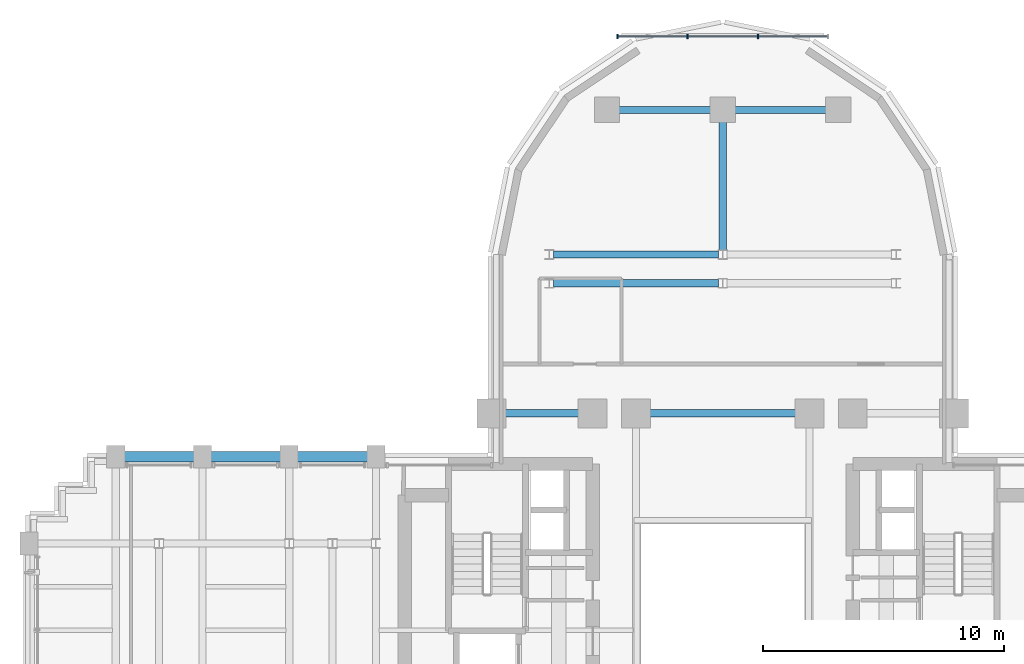
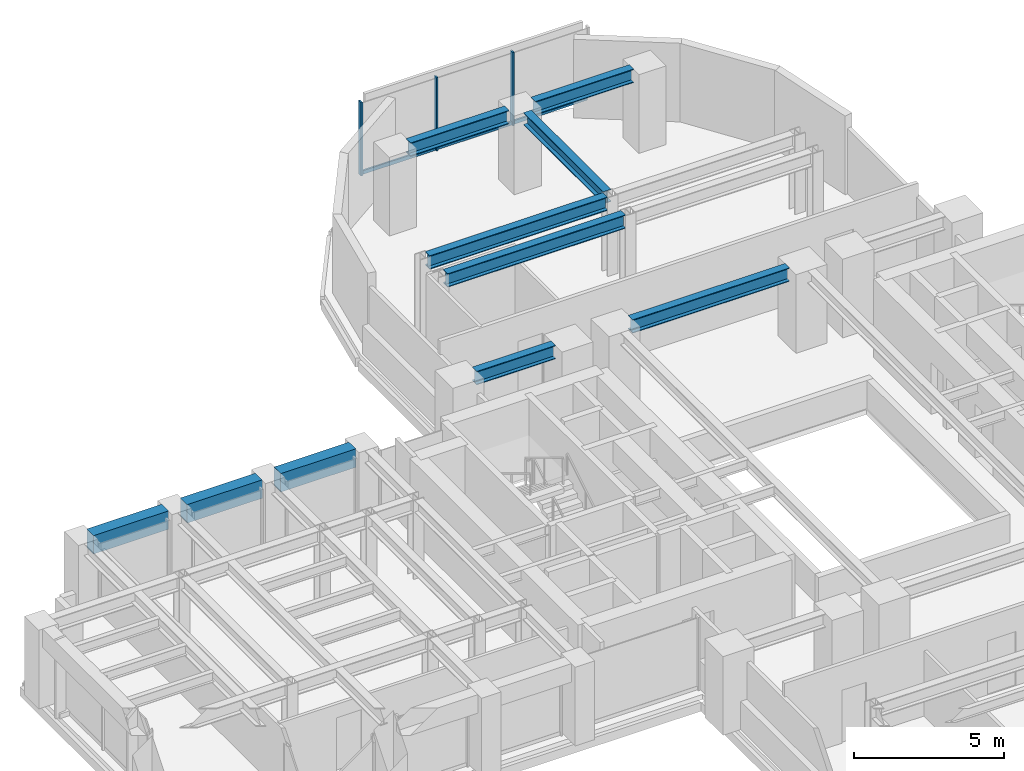
# One storey, part 7 of 16: 10 beams, 6 members, 1 element without a shape of its own.
"""IFC4 building model written with IfcOpenShell, lengths in metres."""

from ifc_helpers import new_model, si_unit, direction, frame, origin, origin_2d, place, context, subcontext, project, spatial, rectangle, i_section, extrude, source, transform, mapped, material, material_profile, profile_set, type_object, element, aggregate, save


model = new_model("IFC4")

# Units and contexts
model_context = context("Model", 3, precision=1e-05, world=origin(), true_north=direction((0.0, 1.0)))
body_context = subcontext(model_context, "Body", "Model", "MODEL_VIEW")
ifc_project = project(units=[si_unit("LENGTHUNIT", "METRE"), si_unit("AREAUNIT", "SQUARE_METRE"), si_unit("VOLUMEUNIT", "CUBIC_METRE"), si_unit("PLANEANGLEUNIT", "RADIAN"), si_unit("MASSUNIT", "GRAM", prefix="KILO")], contexts=[model_context])

# Site, building, storey
site_placement = place(None, origin())
site = spatial("IfcSite", under=ifc_project, at=site_placement, CompositionType="ELEMENT")
building_placement = place(site_placement, origin())
building = spatial("IfcBuilding", under=site, at=building_placement, Name="Keilestroom Media Tower", CompositionType="ELEMENT")
storey_placement = place(building_placement, frame((0.0, 0.0, 57.800048828125)))
storey = spatial("IfcBuildingStorey", under=building, at=storey_placement, Name="L14", CompositionType="ELEMENT", Elevation=57.800048828125)

# Beams
ifc_material_1 = material(Name="Steel S355", Category="steel")
ifc_material_profile_1 = material_profile(ifc_material_1, i_section(OverallWidth=0.300048828125, OverallDepth=0.550048828125, WebThickness=0.012939453125, FlangeThickness=0.029052734375, at=origin_2d()), Name="HEB 550")
ifc_profile_set_1 = profile_set([ifc_material_profile_1], Name="Steel S355")
beam_type_1 = type_object("IfcBeamType", Name="Primary-Structural-Girder-HEB-550", PredefinedType="BEAM", material=ifc_profile_set_1)
shared_shape_1 = source(origin(), body_context, "Body", "SweptSolid", [
    extrude(i_section(OverallWidth=0.300048828125, OverallDepth=0.550048828125, WebThickness=0.012939453125, FlangeThickness=0.029052734375, at=origin_2d()), origin(), (0.0, 0.0, 1.0), 3.7900390625),
])
for number, where, z_axis, x_axis, name in (
    (1, (-4.294921875, 21.60009765625, 2.925048828125), (1.0, 0.0, 0.0), (0.0, 1.0, 0.0), "L14 Beam BG-5 BM-L14-EW-049"),
    (2, (0.5048828125, 21.60009765625, 2.925048828125), (1.0, 0.0, 0.0), (0.0, 1.0, 0.0), "L14 Beam BG-5 BM-L14-EW-050"),
):
    element("IfcBeam", number, at=place(storey_placement, frame(where, z_axis=z_axis, x_axis=x_axis)), inside=storey, type_object=beam_type_1, Name=name, PredefinedType="BEAM", context=body_context, shape_type="MappedRepresentation", body=[
        mapped(shared_shape_1, transform((0.0, 0.0, 0.0), x_axis=(1.0, 0.0, 0.0), y_axis=(0.0, 1.0, 0.0), z_axis=(0.0, 0.0, 1.0), scale=1.0)),
    ])
shared_shape_2 = source(origin(), body_context, "Body", "SweptSolid", [
    extrude(i_section(OverallWidth=0.300048828125, OverallDepth=0.550048828125, WebThickness=0.012939453125, FlangeThickness=0.029052734375, at=origin_2d()), origin(), (0.0, 0.0, 1.0), 6.836181640625),
])
for number, where, z_axis, x_axis, name in (
    (3, (-7.01806640625, 14.39990234375, 2.925048828125), (1.0, 0.0, 0.0), (0.0, 1.0, 0.0), "L14 Beam BG-5 BM-L14-EW-045"),
    (4, (-7.01806640625, 15.60009765625, 2.925048828125), (1.0, 0.0, 0.0), (0.0, 1.0, 0.0), "L14 Beam BG-5 BM-L14-EW-047"),
):
    element("IfcBeam", number, at=place(storey_placement, frame(where, z_axis=z_axis, x_axis=x_axis)), inside=storey, type_object=beam_type_1, Name=name, PredefinedType="BEAM", context=body_context, shape_type="MappedRepresentation", body=[
        mapped(shared_shape_2, transform((0.0, 0.0, 0.0), x_axis=(1.0, 0.0, 0.0), y_axis=(0.0, 1.0, 0.0), z_axis=(0.0, 0.0, 1.0), scale=1.0)),
    ])
shared_shape_3 = source(origin(), body_context, "Body", "SweptSolid", [
    extrude(i_section(OverallWidth=0.300048828125, OverallDepth=0.550048828125, WebThickness=0.012939453125, FlangeThickness=0.029052734375, at=origin_2d()), origin(), (0.0, 0.0, 1.0), 3.0400390625),
])
beam_1_placement = place(storey_placement, frame((-9.02001953125, 9.0, 2.925048828125), z_axis=(1.0, 0.0, 0.0), x_axis=(0.0, 1.0, 0.0)))
element("IfcBeam", 5, at=beam_1_placement, inside=storey, type_object=beam_type_1, Name="L14 Beam BG-5 BM-L14-EW-040", PredefinedType="BEAM", context=body_context, shape_type="MappedRepresentation", body=[
    mapped(shared_shape_3, transform((0.0, 0.0, 0.0), x_axis=(1.0, 0.0, 0.0), y_axis=(0.0, 1.0, 0.0), z_axis=(0.0, 0.0, 1.0), scale=1.0)),
])
shared_shape_4 = source(origin(), body_context, "Body", "SweptSolid", [
    extrude(i_section(OverallWidth=0.300048828125, OverallDepth=0.550048828125, WebThickness=0.012939453125, FlangeThickness=0.029052734375, at=origin_2d()), origin(), (0.0, 0.0, 1.0), 6.0400390625),
])
beam_2_placement = place(storey_placement, frame((-3.02001953125, 9.0, 2.925048828125), z_axis=(1.0, 0.0, 0.0), x_axis=(0.0, 1.0, 0.0)))
element("IfcBeam", 6, at=beam_2_placement, inside=storey, type_object=beam_type_1, Name="L14 Beam BG-5 BM-L14-EW-042", PredefinedType="BEAM", context=body_context, shape_type="MappedRepresentation", body=[
    mapped(shared_shape_4, transform((0.0, 0.0, 0.0), x_axis=(1.0, 0.0, 0.0), y_axis=(0.0, 1.0, 0.0), z_axis=(0.0, 0.0, 1.0), scale=1.0)),
])
ifc_material_2 = material(Name="Precast concrete C40/50", Category="concrete")
ifc_material_profile_2 = material_profile(ifc_material_2, rectangle(XDim=0.449951171875, YDim=0.75, at=origin_2d()), Name="PC 450x750")
ifc_profile_set_2 = profile_set([ifc_material_profile_2], Name="Precast concrete C40/50")
beam_type_2 = type_object("IfcBeamType", Name="Perimeter-Spandrel-Beam-PC-450x750", PredefinedType="SPANDREL", material=ifc_profile_set_2)
shared_shape_5 = source(origin(), body_context, "Body", "SweptSolid", [
    extrude(rectangle(XDim=0.449951171875, YDim=0.75, at=origin_2d()), origin(), (0.0, 0.0, 1.0), 2.889892578125),
])
beam_3_placement = place(storey_placement, frame((-24.844970703125, 7.199951171875, 2.824951171875), z_axis=(1.0, 0.0, 0.0), x_axis=(0.0, 1.0, 0.0)))
element("IfcBeam", 7, at=beam_3_placement, inside=storey, type_object=beam_type_2, Name="L14 Beam SPB-1 BM-L14-EW-034", PredefinedType="SPANDREL", context=body_context, shape_type="MappedRepresentation", body=[
    mapped(shared_shape_5, transform((0.0, 0.0, 0.0), x_axis=(1.0, 0.0, 0.0), y_axis=(0.0, 1.0, 0.0), z_axis=(0.0, 0.0, 1.0), scale=1.0)),
])
shared_shape_6 = source(origin(), body_context, "Body", "SweptSolid", [
    extrude(rectangle(XDim=0.449951171875, YDim=0.75, at=origin_2d()), origin(), (0.0, 0.0, 1.0), 2.89013671875),
])
for number, where, z_axis, x_axis, name in (
    (8, (-21.2451171875, 7.199951171875, 2.824951171875), (1.0, 0.0, 0.0), (0.0, 1.0, 0.0), "L14 Beam SPB-1 BM-L14-EW-035"),
    (9, (-17.64501953125, 7.199951171875, 2.824951171875), (1.0, 0.0, 0.0), (0.0, 1.0, 0.0), "L14 Beam SPB-1 BM-L14-EW-036"),
):
    element("IfcBeam", number, at=place(storey_placement, frame(where, z_axis=z_axis, x_axis=x_axis)), inside=storey, type_object=beam_type_2, Name=name, PredefinedType="SPANDREL", context=body_context, shape_type="MappedRepresentation", body=[
        mapped(shared_shape_6, transform((0.0, 0.0, 0.0), x_axis=(1.0, 0.0, 0.0), y_axis=(0.0, 1.0, 0.0), z_axis=(0.0, 0.0, 1.0), scale=1.0)),
    ])
ifc_material_profile_3 = material_profile(ifc_material_1, i_section(OverallWidth=0.300048828125, OverallDepth=0.5, WebThickness=0.012451171875, FlangeThickness=0.028076171875, at=origin_2d()), Name="HEB 500")
ifc_profile_set_3 = profile_set([ifc_material_profile_3], Name="Steel S355")
beam_type_3 = type_object("IfcBeamType", Name="Primary-Structural-Girder-HEB-500", PredefinedType="BEAM", material=ifc_profile_set_3)
shared_shape_7 = source(origin(), body_context, "Body", "SweptSolid", [
    extrude(i_section(OverallWidth=0.300048828125, OverallDepth=0.5, WebThickness=0.012451171875, FlangeThickness=0.028076171875, at=origin_2d()), origin(), (0.0, 0.0, 1.0), 5.3115234375),
])
beam_4_placement = place(storey_placement, frame((0.0, 15.783447265625, 2.949951171875), z_axis=(0.0, 1.0, 0.0), x_axis=(-1.0, 0.0, 0.0)))
element("IfcBeam", 10, at=beam_4_placement, inside=storey, type_object=beam_type_3, Name="L14 Beam BG-6 BM-L14-NS-070", PredefinedType="BEAM", context=body_context, shape_type="MappedRepresentation", body=[
    mapped(shared_shape_7, transform((0.0, 0.0, 0.0), x_axis=(1.0, 0.0, 0.0), y_axis=(0.0, 1.0, 0.0), z_axis=(0.0, 0.0, 1.0), scale=1.0)),
])

# Curtain wall, members
ifc_material_3 = material(Name="Anodised Aluminium Alloy", Category="aluminium")
curtain_wall_type = type_object("IfcCurtainWallType", Name="Unitised-Curtain-Wall-CW-6", PredefinedType="NOTDEFINED", material=ifc_material_3)
curtain_wall_placement = place(storey_placement, origin())
curtain_wall = element("IfcCurtainWall", 11, at=curtain_wall_placement, inside=storey, type_object=curtain_wall_type, Name="L14 Curtain Wall CW-6 CW-L14-LN-1", PredefinedType="NOTDEFINED")
ifc_material_profile_4 = material_profile(ifc_material_3, rectangle(XDim=0.06494140625, YDim=0.179931640625, at=origin_2d()), Name="ALU MULLION 65x180")
ifc_profile_set_4 = profile_set([ifc_material_profile_4], Name="Anodised Aluminium Alloy")
member_type_1 = type_object("IfcMemberType", Name="Curtain-Wall-Mullion-CW-6", PredefinedType="MULLION", material=ifc_profile_set_4)
shared_shape_8 = source(origin(), body_context, "Body", "SweptSolid", [
    extrude(rectangle(XDim=0.06494140625, YDim=0.179931640625, at=origin_2d()), origin(), (0.0, 0.0, 1.0), 2.97998046875),
])
member_1_placement = place(storey_placement, frame((-4.367431640625, 24.64990234375, 0.0), z_axis=(0.0, 0.0, 1.0), x_axis=(1.0, 0.0, 0.0)))
member_1 = element("IfcMember", 12, at=member_1_placement, type_object=member_type_1, Name="CW-6 Mullion 00", PredefinedType="MULLION", context=body_context, shape_type="MappedRepresentation", body=[
    mapped(shared_shape_8, transform((0.0, 0.0, 0.0), x_axis=(1.0, 0.0, 0.0), y_axis=(0.0, 1.0, 0.0), z_axis=(0.0, 0.0, 1.0), scale=1.0)),
])
member_2_placement = place(storey_placement, frame((-1.466796875, 24.64990234375, 0.0), z_axis=(0.0, 0.0, 1.0), x_axis=(1.0, 0.0, 0.0)))
member_2 = element("IfcMember", 13, at=member_2_placement, type_object=member_type_1, Name="CW-6 Mullion 01", PredefinedType="MULLION", context=body_context, shape_type="MappedRepresentation", body=[
    mapped(shared_shape_8, transform((0.0, 0.0, 0.0), x_axis=(1.0, 0.0, 0.0), y_axis=(0.0, 1.0, 0.0), z_axis=(0.0, 0.0, 1.0), scale=1.0)),
])
member_3_placement = place(storey_placement, frame((1.466796875, 24.64990234375, 0.0), z_axis=(0.0, 0.0, 1.0), x_axis=(1.0, 0.0, 0.0)))
member_3 = element("IfcMember", 14, at=member_3_placement, type_object=member_type_1, Name="CW-6 Mullion 02", PredefinedType="MULLION", context=body_context, shape_type="MappedRepresentation", body=[
    mapped(shared_shape_8, transform((0.0, 0.0, 0.0), x_axis=(1.0, 0.0, 0.0), y_axis=(0.0, 1.0, 0.0), z_axis=(0.0, 0.0, 1.0), scale=1.0)),
])
ifc_material_profile_5 = material_profile(ifc_material_3, rectangle(XDim=0.06494140625, YDim=0.14990234375, at=origin_2d()), Name="ALU TRANSOM 65x150")
ifc_profile_set_5 = profile_set([ifc_material_profile_5], Name="Anodised Aluminium Alloy")
member_type_2 = type_object("IfcMemberType", Name="Curtain-Wall-Transom-CW-6", PredefinedType="USERDEFINED", material=ifc_profile_set_5)
shared_shape_9 = source(origin(), body_context, "Body", "SweptSolid", [
    extrude(rectangle(XDim=0.06494140625, YDim=0.14990234375, at=origin_2d()), origin(), (0.0, 0.0, 1.0), 2.839599609375),
])
member_4_placement = place(storey_placement, frame((-4.3369140625, 24.64990234375, 0.074951171875), z_axis=(1.0, 0.0, 0.0), x_axis=(0.0, 1.0, 0.0)))
member_4 = element("IfcMember", 15, at=member_4_placement, type_object=member_type_2, Name="CW-6 Transom 00.1", ObjectType="TRANSOM", PredefinedType="USERDEFINED", context=body_context, shape_type="MappedRepresentation", body=[
    mapped(shared_shape_9, transform((0.0, 0.0, 0.0), x_axis=(1.0, 0.0, 0.0), y_axis=(0.0, 1.0, 0.0), z_axis=(0.0, 0.0, 1.0), scale=1.0)),
])
member_5_placement = place(storey_placement, frame((1.497314453125, 24.64990234375, 0.074951171875), z_axis=(1.0, 0.0, 0.0), x_axis=(0.0, 1.0, 0.0)))
member_5 = element("IfcMember", 16, at=member_5_placement, type_object=member_type_2, Name="CW-6 Transom 02.1", ObjectType="TRANSOM", PredefinedType="USERDEFINED", context=body_context, shape_type="MappedRepresentation", body=[
    mapped(shared_shape_9, transform((0.0, 0.0, 0.0), x_axis=(1.0, 0.0, 0.0), y_axis=(0.0, 1.0, 0.0), z_axis=(0.0, 0.0, 1.0), scale=1.0)),
])
shared_shape_10 = source(origin(), body_context, "Body", "SweptSolid", [
    extrude(rectangle(XDim=0.06494140625, YDim=0.14990234375, at=origin_2d()), origin(), (0.0, 0.0, 1.0), 2.87255859375),
])
member_6_placement = place(storey_placement, frame((-1.436279296875, 24.64990234375, 0.074951171875), z_axis=(1.0, 0.0, 0.0), x_axis=(0.0, 1.0, 0.0)))
member_6 = element("IfcMember", 17, at=member_6_placement, type_object=member_type_2, Name="CW-6 Transom 01.1", ObjectType="TRANSOM", PredefinedType="USERDEFINED", context=body_context, shape_type="MappedRepresentation", body=[
    mapped(shared_shape_10, transform((0.0, 0.0, 0.0), x_axis=(1.0, 0.0, 0.0), y_axis=(0.0, 1.0, 0.0), z_axis=(0.0, 0.0, 1.0), scale=1.0)),
])
aggregate(curtain_wall, [member_1, member_2, member_3, member_4, member_6, member_5])

save(model, "model.ifc")
